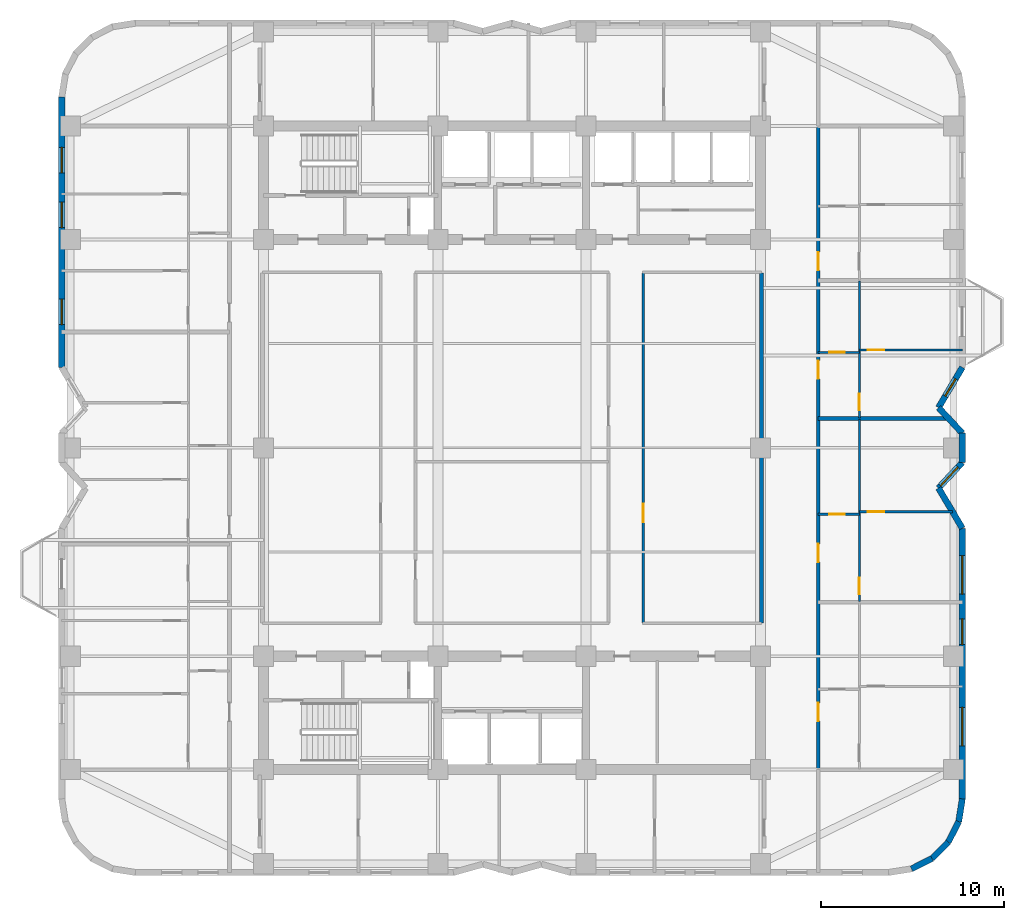
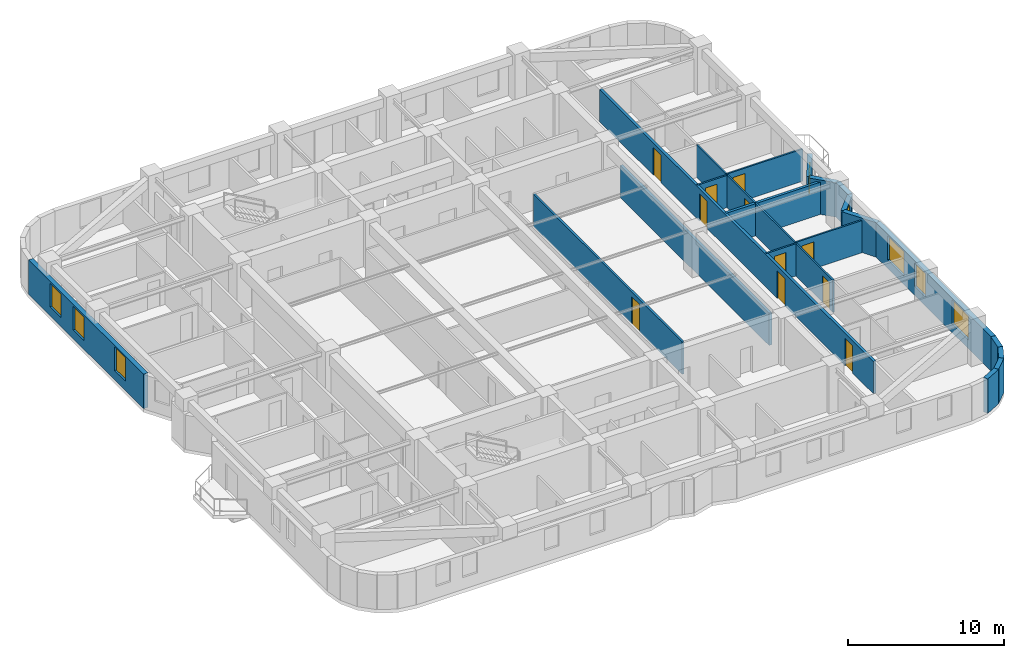
# One storey, part 5 of 10: 21 walls, 11 doors, 8 windows, 19 openings.
"""IFC4 building model written with IfcOpenShell, lengths in metres."""

from ifc_helpers import new_model, si_unit, direction, frame, frame_2d, origin, place, context, subcontext, project, spatial, rectangle, extrude, material, layer, layer_set, type_object, element, fill, save


model = new_model("IFC4")

# Units and contexts
model_context = context("Model", 3, precision=1e-05, world=origin(), true_north=direction((0.0, 1.0)))
body_context = subcontext(model_context, "Body", "Model", "MODEL_VIEW")
ifc_project = project(units=[si_unit("LENGTHUNIT", "METRE"), si_unit("AREAUNIT", "SQUARE_METRE"), si_unit("VOLUMEUNIT", "CUBIC_METRE"), si_unit("PLANEANGLEUNIT", "RADIAN"), si_unit("MASSUNIT", "GRAM", prefix="KILO")], contexts=[model_context])

# Site, building, storey
site_placement = place(None, origin())
site = spatial("IfcSite", under=ifc_project, at=site_placement, CompositionType="ELEMENT")
building_placement = place(site_placement, origin())
building = spatial("IfcBuilding", under=site, at=building_placement, Name="Svetorya Sky Lyceum", CompositionType="ELEMENT")
storey_placement = place(building_placement, frame((0.0, 0.0, 114.199951171875)))
storey = spatial("IfcBuildingStorey", under=building, at=storey_placement, Name="L28", CompositionType="ELEMENT", Elevation=114.199951171875)

# Walls
ifc_material_1 = material(Name="Putilovo limestone rainscreen on autoclaved cellular masonry", Category="masonry")
ifc_layer_1 = layer(ifc_material_1, 0.340087890625)
ifc_layer_set_1 = layer_set([ifc_layer_1], Name="Putilovo limestone rainscreen on autoclaved cellular masonry")
wall_type_1 = type_object("IfcWallType", Name="WL-EXT-340", PredefinedType="SOLIDWALL", material=ifc_layer_set_1)
for number, where, z_axis, x_axis, name in (
    (1, (61.04541015625, 5.167236328125, 0.0), (0.0, 0.0, 1.0), (0.890953769915, 0.454094020963, 0.0), "L28 Limestone Exterior Wall 13M"),
    (2, (62.168701171875, 5.73974609375, 0.0), (0.0, 0.0, 1.0), (0.707203598708, 0.707009950407, 0.0), "L28 Limestone Exterior Wall 14M"),
):
    element("IfcWall", number, at=place(storey_placement, frame(where, z_axis=z_axis, x_axis=x_axis)), inside=storey, type_object=wall_type_1, Name=name, PredefinedType="SOLIDWALL", context=body_context, shape_type="SweptSolid", body=[
        extrude(rectangle(XDim=1.2607421875, YDim=0.340087890625, at=frame_2d((0.63037109375, 0.0))), origin(), (0.0, 0.0, 1.0), 2.699951171875),
    ])
for number, where, z_axis, x_axis, name in (
    (3, (63.060302734375, 6.631103515625, 0.0), (0.0, 0.0, 1.0), (0.454015689056, 0.890993689142, 0.0), "L28 Limestone Exterior Wall 15M"),
    (4, (63.6328125, 7.754638671875, 0.0), (0.0, 0.0, 1.0), (0.15644975923, 0.987685918112, 0.0), "L28 Limestone Exterior Wall 16M"),
):
    element("IfcWall", number, at=place(storey_placement, frame(where, z_axis=z_axis, x_axis=x_axis)), inside=storey, type_object=wall_type_1, Name=name, PredefinedType="SOLIDWALL", context=body_context, shape_type="SweptSolid", body=[
        extrude(rectangle(XDim=1.260986328125, YDim=0.340087890625, at=frame_2d((0.63037109375, 0.0))), origin(), (0.0, 0.0, 1.0), 2.699951171875),
    ])

# Wall, openings, windows
wall_1_placement = place(storey_placement, frame((63.830078125, 9.0, 0.0), z_axis=(0.0, 0.0, 1.0), x_axis=(0.0, 1.0, 0.0)))
wall_1 = element("IfcWall", 5, at=wall_1_placement, inside=storey, type_object=wall_type_1, Name="L28 Limestone Exterior Wall 17M", PredefinedType="SOLIDWALL", context=body_context, shape_type="SweptSolid", body=[
    extrude(rectangle(XDim=14.800048828125, YDim=0.340087890625, at=frame_2d((7.39990234375, 0.0))), origin(), (0.0, 0.0, 1.0), 2.699951171875),
])
opening_1_placement = place(wall_1_placement, frame((2.89990234375, 0.0, 0.679931640625)))
opening_1 = element("IfcOpeningElement", 6, at=opening_1_placement, cuts=wall_1, Name="Opening W-R0", PredefinedType="OPENING", context=body_context, shape_type="SweptSolid", body=[
    extrude(rectangle(XDim=2.10009765625, YDim=1.89990234375, at=frame_2d((1.050048828125, 0.949951171875))), frame((0.0, 0.179931640625, 0.0), z_axis=(0.0, -1.0, 0.0), x_axis=(1.0, 0.0, 0.0)), (0.0, 0.0, 1.0), 0.360107421875),
])
opening_2_placement = place(wall_1_placement, frame((8.43994140625, 0.0, 0.68994140625)))
opening_2 = element("IfcOpeningElement", 7, at=opening_2_placement, cuts=wall_1, Name="Opening W-R2", PredefinedType="OPENING", context=body_context, shape_type="SweptSolid", body=[
    extrude(rectangle(XDim=1.39990234375, YDim=1.85009765625, at=frame_2d((0.699951171875, 0.925048828125))), frame((0.0, 0.179931640625, 0.0), z_axis=(0.0, -1.0, 0.0), x_axis=(1.0, 0.0, 0.0)), (0.0, 0.0, 1.0), 0.360107421875),
])
opening_3_placement = place(wall_1_placement, frame((11.199951171875, 0.0, 0.679931640625)))
opening_3 = element("IfcOpeningElement", 8, at=opening_3_placement, cuts=wall_1, Name="Opening W-R0", PredefinedType="OPENING", context=body_context, shape_type="SweptSolid", body=[
    extrude(rectangle(XDim=2.10009765625, YDim=1.89990234375, at=frame_2d((1.050048828125, 0.949951171875))), frame((0.0, 0.179931640625, 0.0), z_axis=(0.0, -1.0, 0.0), x_axis=(1.0, 0.0, 0.0)), (0.0, 0.0, 1.0), 0.360107421875),
])
ifc_material_2 = material(Name="Thermally broken aluminium frame with triple low-E glazing", Category="aluminium")
window_type_1 = type_object("IfcWindowType", Name="WN-RES-140", PartitioningType="SINGLE_PANEL", PredefinedType="WINDOW", material=ifc_material_2)
window_1_placement = place(opening_2_placement, origin())
window_1 = element("IfcWindow", 9, at=window_1_placement, inside=storey, type_object=window_type_1, Name="L28 Facade Window W-R2.17M.3", OverallHeight=1.85009765625, OverallWidth=1.39990234375, PartitioningType="SINGLE_PANEL", PredefinedType="WINDOW", context=body_context, shape_type="SweptSolid", body=[
    extrude(rectangle(XDim=1.39990234375, YDim=1.85009765625, at=frame_2d((0.699951171875, 0.925048828125))), frame((0.0, 0.030029296875, 0.0), z_axis=(0.0, -1.0, 0.0), x_axis=(1.0, 0.0, 0.0)), (0.0, 0.0, 1.0), 0.06005859375),
])
fill(opening_2, window_1)
window_type_2 = type_object("IfcWindowType", Name="WN-RES-210", PartitioningType="TRIPLE_PANEL_VERTICAL", PredefinedType="WINDOW", material=ifc_material_2)
window_2_placement = place(opening_1_placement, origin())
window_2 = element("IfcWindow", 10, at=window_2_placement, inside=storey, type_object=window_type_2, Name="L28 Facade Window W-R0.17M.1", OverallHeight=1.89990234375, OverallWidth=2.10009765625, PartitioningType="SINGLE_PANEL", PredefinedType="WINDOW", context=body_context, shape_type="SweptSolid", body=[
    extrude(rectangle(XDim=2.10009765625, YDim=1.89990234375, at=frame_2d((1.050048828125, 0.949951171875))), frame((0.0, 0.030029296875, 0.0), z_axis=(0.0, -1.0, 0.0), x_axis=(1.0, 0.0, 0.0)), (0.0, 0.0, 1.0), 0.06005859375),
])
fill(opening_1, window_2)
window_3_placement = place(opening_3_placement, origin())
window_3 = element("IfcWindow", 11, at=window_3_placement, inside=storey, type_object=window_type_2, Name="L28 Facade Window W-R0.17M.2", OverallHeight=1.89990234375, OverallWidth=2.10009765625, PartitioningType="SINGLE_PANEL", PredefinedType="WINDOW", context=body_context, shape_type="SweptSolid", body=[
    extrude(rectangle(XDim=2.10009765625, YDim=1.89990234375, at=frame_2d((1.050048828125, 0.949951171875))), frame((0.0, 0.030029296875, 0.0), z_axis=(0.0, -1.0, 0.0), x_axis=(1.0, 0.0, 0.0)), (0.0, 0.0, 1.0), 0.06005859375),
])
fill(opening_3, window_3)

# Wall
wall_2_placement = place(storey_placement, frame((63.830078125, 23.800048828125, 0.0), z_axis=(0.0, 0.0, 1.0), x_axis=(-0.508751843651, 0.860913213734, 0.0)))
element("IfcWall", 12, at=wall_2_placement, inside=storey, type_object=wall_type_1, Name="L28 Limestone Exterior Wall 18M", PredefinedType="SOLIDWALL", context=body_context, shape_type="SweptSolid", body=[
    extrude(rectangle(XDim=2.555419921875, YDim=0.340087890625, at=frame_2d((1.27783203125, 0.0))), origin(), (0.0, 0.0, 1.0), 2.699951171875),
])

# Wall, opening, window
wall_3_placement = place(storey_placement, frame((62.530029296875, 26.0, 0.0), z_axis=(0.0, 0.0, 1.0), x_axis=(0.68049031116, 0.732757078722, 0.0)))
wall_3 = element("IfcWall", 13, at=wall_3_placement, inside=storey, type_object=wall_type_1, Name="L28 Limestone Exterior Wall 19M", PredefinedType="SOLIDWALL", context=body_context, shape_type="SweptSolid", body=[
    extrude(rectangle(XDim=1.910400390625, YDim=0.340087890625, at=frame_2d((0.955078125, 0.0))), origin(), (0.0, 0.0, 1.0), 2.699951171875),
])
opening_4_placement = place(wall_3_placement, frame((0.159912109375, 0.0, 0.68994140625)))
opening_4 = element("IfcOpeningElement", 14, at=opening_4_placement, cuts=wall_3, Name="Opening W-R2", PredefinedType="OPENING", context=body_context, shape_type="SweptSolid", body=[
    extrude(rectangle(XDim=1.39990234375, YDim=1.85009765625, at=frame_2d((0.699951171875, 0.925048828125))), frame((0.0, 0.179931640625, 0.0), z_axis=(0.0, -1.0, 0.0), x_axis=(1.0, 0.0, 0.0)), (0.0, 0.0, 1.0), 0.360107421875),
])
window_4_placement = place(opening_4_placement, origin())
window_4 = element("IfcWindow", 15, at=window_4_placement, inside=storey, type_object=window_type_1, Name="L28 Facade Window W-R2.19M.1", OverallHeight=1.85009765625, OverallWidth=1.39990234375, PartitioningType="SINGLE_PANEL", PredefinedType="WINDOW", context=body_context, shape_type="SweptSolid", body=[
    extrude(rectangle(XDim=1.39990234375, YDim=1.85009765625, at=frame_2d((0.699951171875, 0.925048828125))), frame((0.0, 0.030029296875, 0.0), z_axis=(0.0, -1.0, 0.0), x_axis=(1.0, 0.0, 0.0)), (0.0, 0.0, 1.0), 0.06005859375),
])
fill(opening_4, window_4)

# Walls
wall_4_placement = place(storey_placement, frame((63.830078125, 27.39990234375, 0.0), z_axis=(0.0, 0.0, 1.0), x_axis=(0.0, 1.0, 0.0)))
element("IfcWall", 16, at=wall_4_placement, inside=storey, type_object=wall_type_1, Name="L28 Limestone Exterior Wall 20M", PredefinedType="SOLIDWALL", context=body_context, shape_type="SweptSolid", body=[
    extrude(rectangle(XDim=1.60009765625, YDim=0.340087890625, at=frame_2d((0.800048828125, 0.0))), origin(), (0.0, 0.0, 1.0), 2.699951171875),
])
wall_5_placement = place(storey_placement, frame((63.830078125, 29.0, 0.0), z_axis=(0.0, 0.0, 1.0), x_axis=(-0.68049031116, 0.732757078722, 0.0)))
element("IfcWall", 17, at=wall_5_placement, inside=storey, type_object=wall_type_1, Name="L28 Limestone Exterior Wall 21M", PredefinedType="SOLIDWALL", context=body_context, shape_type="SweptSolid", body=[
    extrude(rectangle(XDim=1.910400390625, YDim=0.340087890625, at=frame_2d((0.955078125, 0.0))), origin(), (0.0, 0.0, 1.0), 2.699951171875),
])

# Wall, opening, window
wall_6_placement = place(storey_placement, frame((62.530029296875, 30.39990234375, 0.0), z_axis=(0.0, 0.0, 1.0), x_axis=(0.508710000703, 0.860937939218, 0.0)))
wall_6 = element("IfcWall", 18, at=wall_6_placement, inside=storey, type_object=wall_type_1, Name="L28 Limestone Exterior Wall 22M", PredefinedType="SOLIDWALL", context=body_context, shape_type="SweptSolid", body=[
    extrude(rectangle(XDim=2.5556640625, YDim=0.340087890625, at=frame_2d((1.27783203125, 0.0))), origin(), (0.0, 0.0, 1.0), 2.699951171875),
])
opening_5_placement = place(wall_6_placement, frame((0.727783203125, 0.0, 0.889892578125)))
opening_5 = element("IfcOpeningElement", 19, at=opening_5_placement, cuts=wall_6, Name="Opening W-R3", PredefinedType="OPENING", context=body_context, shape_type="SweptSolid", body=[
    extrude(rectangle(XDim=1.10009765625, YDim=1.64990234375, at=frame_2d((0.550048828125, 0.824951171875))), frame((0.0, 0.179931640625, 0.0), z_axis=(0.0, -1.0, 0.0), x_axis=(1.0, 0.0, 0.0)), (0.0, 0.0, 1.0), 0.360107421875),
])
window_type_3 = type_object("IfcWindowType", Name="WN-RES-110", PartitioningType="SINGLE_PANEL", PredefinedType="WINDOW", material=ifc_material_2)
window_5_placement = place(opening_5_placement, origin())
window_5 = element("IfcWindow", 20, at=window_5_placement, inside=storey, type_object=window_type_3, Name="L28 Facade Window W-R3.22M.1", OverallHeight=1.64990234375, OverallWidth=1.10009765625, PartitioningType="SINGLE_PANEL", PredefinedType="WINDOW", context=body_context, shape_type="SweptSolid", body=[
    extrude(rectangle(XDim=1.10009765625, YDim=1.64990234375, at=frame_2d((0.550048828125, 0.824951171875))), frame((0.0, 0.030029296875, 0.0), z_axis=(0.0, -1.0, 0.0), x_axis=(1.0, 0.0, 0.0)), (0.0, 0.0, 1.0), 0.06005859375),
])
fill(opening_5, window_5)

# Wall, openings, windows
wall_7_placement = place(storey_placement, frame((14.570068359375, 47.39990234375, 0.0), z_axis=(0.0, 0.0, 1.0), x_axis=(0.0, -1.0, 0.0)))
wall_7 = element("IfcWall", 21, at=wall_7_placement, inside=storey, type_object=wall_type_1, Name="L28 Limestone Exterior Wall 40M", PredefinedType="SOLIDWALL", context=body_context, shape_type="SweptSolid", body=[
    extrude(rectangle(XDim=14.7998046875, YDim=0.340087890625, at=frame_2d((7.39990234375, 0.0))), origin(), (0.0, 0.0, 1.0), 2.699951171875),
])
opening_6_placement = place(wall_7_placement, frame((2.760009765625, 0.0, 0.68994140625)))
opening_6 = element("IfcOpeningElement", 22, at=opening_6_placement, cuts=wall_7, Name="Opening W-R2", PredefinedType="OPENING", context=body_context, shape_type="SweptSolid", body=[
    extrude(rectangle(XDim=1.39990234375, YDim=1.85009765625, at=frame_2d((0.699951171875, 0.925048828125))), frame((0.0, 0.179931640625, 0.0), z_axis=(0.0, -1.0, 0.0), x_axis=(1.0, 0.0, 0.0)), (0.0, 0.0, 1.0), 0.360107421875),
])
opening_7_placement = place(wall_7_placement, frame((5.760009765625, 0.0, 0.68994140625)))
opening_7 = element("IfcOpeningElement", 23, at=opening_7_placement, cuts=wall_7, Name="Opening W-R2", PredefinedType="OPENING", context=body_context, shape_type="SweptSolid", body=[
    extrude(rectangle(XDim=1.39990234375, YDim=1.85009765625, at=frame_2d((0.699951171875, 0.925048828125))), frame((0.0, 0.179931640625, 0.0), z_axis=(0.0, -1.0, 0.0), x_axis=(1.0, 0.0, 0.0)), (0.0, 0.0, 1.0), 0.360107421875),
])
opening_8_placement = place(wall_7_placement, frame((11.0625, 0.0, 0.72998046875)))
opening_8 = element("IfcOpeningElement", 24, at=opening_8_placement, cuts=wall_7, Name="Opening W-R2", PredefinedType="OPENING", context=body_context, shape_type="SweptSolid", body=[
    extrude(rectangle(XDim=1.39990234375, YDim=1.85009765625, at=frame_2d((0.699951171875, 0.925048828125))), frame((0.0, 0.179931640625, 0.0), z_axis=(0.0, -1.0, 0.0), x_axis=(1.0, 0.0, 0.0)), (0.0, 0.0, 1.0), 0.360107421875),
])
window_6_placement = place(opening_6_placement, origin())
window_6 = element("IfcWindow", 25, at=window_6_placement, inside=storey, type_object=window_type_1, Name="L28 Facade Window W-R2.40M.3", OverallHeight=1.85009765625, OverallWidth=1.39990234375, PartitioningType="SINGLE_PANEL", PredefinedType="WINDOW", context=body_context, shape_type="SweptSolid", body=[
    extrude(rectangle(XDim=1.39990234375, YDim=1.85009765625, at=frame_2d((0.699951171875, 0.925048828125))), frame((0.0, 0.030029296875, 0.0), z_axis=(0.0, -1.0, 0.0), x_axis=(1.0, 0.0, 0.0)), (0.0, 0.0, 1.0), 0.06005859375),
])
fill(opening_6, window_6)
window_7_placement = place(opening_7_placement, origin())
window_7 = element("IfcWindow", 26, at=window_7_placement, inside=storey, type_object=window_type_1, Name="L28 Facade Window W-R2.40M.2", OverallHeight=1.85009765625, OverallWidth=1.39990234375, PartitioningType="SINGLE_PANEL", PredefinedType="WINDOW", context=body_context, shape_type="SweptSolid", body=[
    extrude(rectangle(XDim=1.39990234375, YDim=1.85009765625, at=frame_2d((0.699951171875, 0.925048828125))), frame((0.0, 0.030029296875, 0.0), z_axis=(0.0, -1.0, 0.0), x_axis=(1.0, 0.0, 0.0)), (0.0, 0.0, 1.0), 0.06005859375),
])
fill(opening_7, window_7)
window_8_placement = place(opening_8_placement, origin())
window_8 = element("IfcWindow", 27, at=window_8_placement, inside=storey, type_object=window_type_1, Name="L28 Facade Window W-R2.40M.1", OverallHeight=1.85009765625, OverallWidth=1.39990234375, PartitioningType="SINGLE_PANEL", PredefinedType="WINDOW", context=body_context, shape_type="SweptSolid", body=[
    extrude(rectangle(XDim=1.39990234375, YDim=1.85009765625, at=frame_2d((0.699951171875, 0.925048828125))), frame((0.0, 0.030029296875, 0.0), z_axis=(0.0, -1.0, 0.0), x_axis=(1.0, 0.0, 0.0)), (0.0, 0.0, 1.0), 0.06005859375),
])
fill(opening_8, window_8)

# Wall, opening, door
ifc_material_3 = material(Name="Twin-stud galvanized framing with double fireboard", Category="gypsum")
ifc_layer_2 = layer(ifc_material_3, 0.1201171875)
ifc_layer_set_2 = layer_set([ifc_layer_2], Name="Twin-stud galvanized framing with double fireboard")
wall_type_2 = type_object("IfcWallType", Name="WL-PART-120", PredefinedType="PARTITIONING", material=ifc_layer_set_2)
wall_8_placement = place(storey_placement, frame((55.949951171875, 24.572021484375, 0.0), z_axis=(0.0, 0.0, 1.0), x_axis=(1.0, 0.0, 0.0)))
wall_8 = element("IfcWall", 28, at=wall_8_placement, inside=storey, type_object=wall_type_2, Name="L28 Interior Partition E2-WH1", PredefinedType="PARTITIONING", context=body_context, shape_type="SweptSolid", body=[
    extrude(rectangle(XDim=2.25, YDim=0.1201171875, at=frame_2d((1.125, 0.0))), origin(), (0.0, 0.0, 1.0), 2.530029296875),
])
opening_9_placement = place(wall_8_placement, frame((0.60009765625, 0.0, 0.0)))
opening_9 = element("IfcOpeningElement", 29, at=opening_9_placement, cuts=wall_8, Name="Opening D-BT1", PredefinedType="OPENING", context=body_context, shape_type="SweptSolid", body=[
    extrude(rectangle(XDim=0.85009765625, YDim=2.10009765625, at=frame_2d((0.425048828125, 1.050048828125))), frame((0.0, 0.070068359375, 0.0), z_axis=(0.0, -1.0, 0.0), x_axis=(1.0, 0.0, 0.0)), (0.0, 0.0, 1.0), 0.14013671875),
])
ifc_material_4 = material(Name="Moisture-resistant laminate bathroom door")
door_type_1 = type_object("IfcDoorType", Name="DR-WET-850", OperationType="SINGLE_SWING_LEFT", PredefinedType="DOOR", material=ifc_material_4)
door_1_placement = place(opening_9_placement, origin())
door_1 = element("IfcDoor", 30, at=door_1_placement, inside=storey, type_object=door_type_1, Name="Apartment E2 Bathroom Door", OperationType="SINGLE_SWING_LEFT", OverallHeight=2.10009765625, OverallWidth=0.85009765625, PredefinedType="DOOR", context=body_context, shape_type="SweptSolid", body=[
    extrude(rectangle(XDim=0.85009765625, YDim=2.10009765625, at=frame_2d((0.425048828125, 1.050048828125))), frame((0.0, 0.02490234375, 0.0), z_axis=(0.0, -1.0, 0.0), x_axis=(1.0, 0.0, 0.0)), (0.0, 0.0, 1.0), 0.050048828125),
])
fill(opening_9, door_1)

wall_9_placement = place(storey_placement, frame((58.199951171875, 24.701904296875, 0.0), z_axis=(0.0, 0.0, 1.0), x_axis=(1.0, 0.0, 0.0)))
wall_9 = element("IfcWall", 31, at=wall_9_placement, inside=storey, type_object=wall_type_2, Name="L28 Interior Partition E2-WL1", PredefinedType="PARTITIONING", context=body_context, shape_type="SweptSolid", body=[
    extrude(rectangle(XDim=5.09716796875, YDim=0.1201171875, at=frame_2d((2.548583984375, 0.0))), origin(), (0.0, 0.0, 1.0), 2.530029296875),
])
opening_10_placement = place(wall_9_placement, frame((0.449951171875, 0.0, 0.0)))
opening_10 = element("IfcOpeningElement", 32, at=opening_10_placement, cuts=wall_9, Name="Opening D-RM1", PredefinedType="OPENING", context=body_context, shape_type="SweptSolid", body=[
    extrude(rectangle(XDim=0.89990234375, YDim=2.10009765625, at=frame_2d((0.449951171875, 1.050048828125))), frame((0.0, 0.070068359375, 0.0), z_axis=(0.0, -1.0, 0.0), x_axis=(1.0, 0.0, 0.0)), (0.0, 0.0, 1.0), 0.14013671875),
])
ifc_material_5 = material(Name="Lacquered birch veneer internal door")
door_type_2 = type_object("IfcDoorType", Name="DR-INT-900", OperationType="SINGLE_SWING_LEFT", PredefinedType="DOOR", material=ifc_material_5)
door_2_placement = place(opening_10_placement, origin())
door_2 = element("IfcDoor", 33, at=door_2_placement, inside=storey, type_object=door_type_2, Name="Apartment E2 Bedroom 1 Door", OperationType="SINGLE_SWING_LEFT", OverallHeight=2.10009765625, OverallWidth=0.89990234375, PredefinedType="DOOR", context=body_context, shape_type="SweptSolid", body=[
    extrude(rectangle(XDim=0.89990234375, YDim=2.10009765625, at=frame_2d((0.449951171875, 1.050048828125))), frame((0.0, 0.02490234375, 0.0), z_axis=(0.0, -1.0, 0.0), x_axis=(1.0, 0.0, 0.0)), (0.0, 0.0, 1.0), 0.050048828125),
])
fill(opening_10, door_2)

wall_10_placement = place(storey_placement, frame((58.199951171875, 19.7919921875, 0.0), z_axis=(0.0, 0.0, 1.0), x_axis=(0.0, 1.0, 0.0)))
wall_10 = element("IfcWall", 34, at=wall_10_placement, inside=storey, type_object=wall_type_2, Name="L28 Interior Partition E2-WV", PredefinedType="PARTITIONING", context=body_context, shape_type="SweptSolid", body=[
    extrude(rectangle(XDim=9.968017578125, YDim=0.1201171875, at=frame_2d((4.98388671875, 0.0))), origin(), (0.0, 0.0, 1.0), 2.530029296875),
])
opening_11_placement = place(wall_10_placement, frame((0.409912109375, 0.0, 0.0)))
opening_11 = element("IfcOpeningElement", 35, at=opening_11_placement, cuts=wall_10, Name="Opening D-RM1", PredefinedType="OPENING", context=body_context, shape_type="SweptSolid", body=[
    extrude(rectangle(XDim=0.89990234375, YDim=2.10009765625, at=frame_2d((0.449951171875, 1.050048828125))), frame((0.0, 0.070068359375, 0.0), z_axis=(0.0, -1.0, 0.0), x_axis=(1.0, 0.0, 0.0)), (0.0, 0.0, 1.0), 0.14013671875),
])
door_3_placement = place(opening_11_placement, origin())
door_3 = element("IfcDoor", 36, at=door_3_placement, inside=storey, type_object=door_type_2, Name="Apartment E2 Living Door", OperationType="SINGLE_SWING_RIGHT", OverallHeight=2.10009765625, OverallWidth=0.89990234375, PredefinedType="DOOR", context=body_context, shape_type="SweptSolid", body=[
    extrude(rectangle(XDim=0.89990234375, YDim=2.10009765625, at=frame_2d((0.449951171875, 1.050048828125))), frame((0.0, 0.02490234375, 0.0), z_axis=(0.0, -1.0, 0.0), x_axis=(1.0, 0.0, 0.0)), (0.0, 0.0, 1.0), 0.050048828125),
])
fill(opening_11, door_3)

wall_11_placement = place(storey_placement, frame((55.949951171875, 33.419921875, 0.0), z_axis=(0.0, 0.0, 1.0), x_axis=(1.0, 0.0, 0.0)))
wall_11 = element("IfcWall", 37, at=wall_11_placement, inside=storey, type_object=wall_type_2, Name="L28 Interior Partition E3-WH1", PredefinedType="PARTITIONING", context=body_context, shape_type="SweptSolid", body=[
    extrude(rectangle(XDim=2.25, YDim=0.1201171875, at=frame_2d((1.125, 0.0))), origin(), (0.0, 0.0, 1.0), 2.530029296875),
])
opening_12_placement = place(wall_11_placement, frame((0.60009765625, 0.0, 0.0)))
opening_12 = element("IfcOpeningElement", 38, at=opening_12_placement, cuts=wall_11, Name="Opening D-BT1", PredefinedType="OPENING", context=body_context, shape_type="SweptSolid", body=[
    extrude(rectangle(XDim=0.85009765625, YDim=2.10009765625, at=frame_2d((0.425048828125, 1.050048828125))), frame((0.0, 0.070068359375, 0.0), z_axis=(0.0, -1.0, 0.0), x_axis=(1.0, 0.0, 0.0)), (0.0, 0.0, 1.0), 0.14013671875),
])
door_4_placement = place(opening_12_placement, origin())
door_4 = element("IfcDoor", 39, at=door_4_placement, inside=storey, type_object=door_type_1, Name="Apartment E3 Bathroom Door", OperationType="SINGLE_SWING_RIGHT", OverallHeight=2.10009765625, OverallWidth=0.85009765625, PredefinedType="DOOR", context=body_context, shape_type="SweptSolid", body=[
    extrude(rectangle(XDim=0.85009765625, YDim=2.10009765625, at=frame_2d((0.425048828125, 1.050048828125))), frame((0.0, 0.02490234375, 0.0), z_axis=(0.0, -1.0, 0.0), x_axis=(1.0, 0.0, 0.0)), (0.0, 0.0, 1.0), 0.050048828125),
])
fill(opening_12, door_4)

wall_12_placement = place(storey_placement, frame((58.199951171875, 33.550048828125, 0.0), z_axis=(0.0, 0.0, 1.0), x_axis=(1.0, 0.0, 0.0)))
wall_12 = element("IfcWall", 40, at=wall_12_placement, inside=storey, type_object=wall_type_2, Name="L28 Interior Partition E3-WL1", PredefinedType="PARTITIONING", context=body_context, shape_type="SweptSolid", body=[
    extrude(rectangle(XDim=5.630126953125, YDim=0.1201171875, at=frame_2d((2.81494140625, 0.0))), origin(), (0.0, 0.0, 1.0), 2.530029296875),
])
opening_13_placement = place(wall_12_placement, frame((0.449951171875, 0.0, 0.0)))
opening_13 = element("IfcOpeningElement", 41, at=opening_13_placement, cuts=wall_12, Name="Opening D-RM1", PredefinedType="OPENING", context=body_context, shape_type="SweptSolid", body=[
    extrude(rectangle(XDim=0.89990234375, YDim=2.10009765625, at=frame_2d((0.449951171875, 1.050048828125))), frame((0.0, 0.070068359375, 0.0), z_axis=(0.0, -1.0, 0.0), x_axis=(1.0, 0.0, 0.0)), (0.0, 0.0, 1.0), 0.14013671875),
])
door_5_placement = place(opening_13_placement, origin())
door_5 = element("IfcDoor", 42, at=door_5_placement, inside=storey, type_object=door_type_2, Name="Apartment E3 Bedroom 1 Door", OperationType="SINGLE_SWING_RIGHT", OverallHeight=2.10009765625, OverallWidth=0.89990234375, PredefinedType="DOOR", context=body_context, shape_type="SweptSolid", body=[
    extrude(rectangle(XDim=0.89990234375, YDim=2.10009765625, at=frame_2d((0.449951171875, 1.050048828125))), frame((0.0, 0.02490234375, 0.0), z_axis=(0.0, -1.0, 0.0), x_axis=(1.0, 0.0, 0.0)), (0.0, 0.0, 1.0), 0.050048828125),
])
fill(opening_13, door_5)

wall_13_placement = place(storey_placement, frame((58.199951171875, 29.840087890625, 0.0), z_axis=(0.0, 0.0, 1.0), x_axis=(0.0, 1.0, 0.0)))
wall_13 = element("IfcWall", 43, at=wall_13_placement, inside=storey, type_object=wall_type_2, Name="L28 Interior Partition E3-WV", PredefinedType="PARTITIONING", context=body_context, shape_type="SweptSolid", body=[
    extrude(rectangle(XDim=7.471923828125, YDim=0.1201171875, at=frame_2d((3.73583984375, 0.0))), origin(), (0.0, 0.0, 1.0), 2.530029296875),
])
opening_14_placement = place(wall_13_placement, frame((0.409912109375, 0.0, 0.0)))
opening_14 = element("IfcOpeningElement", 44, at=opening_14_placement, cuts=wall_13, Name="Opening D-RM1", PredefinedType="OPENING", context=body_context, shape_type="SweptSolid", body=[
    extrude(rectangle(XDim=0.89990234375, YDim=2.10009765625, at=frame_2d((0.449951171875, 1.050048828125))), frame((0.0, 0.070068359375, 0.0), z_axis=(0.0, -1.0, 0.0), x_axis=(1.0, 0.0, 0.0)), (0.0, 0.0, 1.0), 0.14013671875),
])
door_6_placement = place(opening_14_placement, origin())
door_6 = element("IfcDoor", 45, at=door_6_placement, inside=storey, type_object=door_type_2, Name="Apartment E3 Living Door", OperationType="SINGLE_SWING_LEFT", OverallHeight=2.10009765625, OverallWidth=0.89990234375, PredefinedType="DOOR", context=body_context, shape_type="SweptSolid", body=[
    extrude(rectangle(XDim=0.89990234375, YDim=2.10009765625, at=frame_2d((0.449951171875, 1.050048828125))), frame((0.0, 0.02490234375, 0.0), z_axis=(0.0, -1.0, 0.0), x_axis=(1.0, 0.0, 0.0)), (0.0, 0.0, 1.0), 0.050048828125),
])
fill(opening_14, door_6)

ifc_material_6 = material(Name="Autoclaved cellular masonry blockwork with acoustic render", Category="masonry")
ifc_layer_3 = layer(ifc_material_6, 0.14990234375)
ifc_layer_set_3 = layer_set([ifc_layer_3], Name="Autoclaved cellular masonry blockwork with acoustic render")
wall_type_3 = type_object("IfcWallType", Name="WL-PART-150", PredefinedType="PARTITIONING", material=ifc_layer_set_3)
wall_14_placement = place(storey_placement, frame((46.3798828125, 18.6298828125, 0.0), z_axis=(0.0, 0.0, 1.0), x_axis=(0.0, 1.0, 0.0)))
wall_14 = element("IfcWall", 46, at=wall_14_placement, inside=storey, type_object=wall_type_3, Name="L28 Interior Partition ISL-EE", PredefinedType="PARTITIONING", context=body_context, shape_type="SweptSolid", body=[
    extrude(rectangle(XDim=19.14013671875, YDim=0.14990234375, at=frame_2d((9.570068359375, 0.0))), origin(), (0.0, 0.0, 1.0), 2.530029296875),
])
opening_15_placement = place(wall_14_placement, frame((5.5, 0.0, 0.0)))
opening_15 = element("IfcOpeningElement", 47, at=opening_15_placement, cuts=wall_14, Name="Opening D-RM2", PredefinedType="OPENING", context=body_context, shape_type="SweptSolid", body=[
    extrude(rectangle(XDim=1.0, YDim=2.14990234375, at=frame_2d((0.5, 1.074951171875))), frame((0.0, 0.0849609375, 0.0), z_axis=(0.0, -1.0, 0.0), x_axis=(1.0, 0.0, 0.0)), (0.0, 0.0, 1.0), 0.169921875),
])
ifc_material_7 = material(Name="Solid-core oak acoustic room door")
door_type_3 = type_object("IfcDoorType", Name="DR-INT-1000", OperationType="SINGLE_SWING_LEFT", PredefinedType="DOOR", material=ifc_material_7)
door_7_placement = place(opening_15_placement, origin())
door_7 = element("IfcDoor", 48, at=door_7_placement, inside=storey, type_object=door_type_3, Name="L28 East Lounge Door", OperationType="SINGLE_SWING_RIGHT", OverallHeight=2.14990234375, OverallWidth=1.0, PredefinedType="DOOR", context=body_context, shape_type="SweptSolid", body=[
    extrude(rectangle(XDim=1.0, YDim=2.14990234375, at=frame_2d((0.5, 1.074951171875))), frame((0.0, 0.02490234375, 0.0), z_axis=(0.0, -1.0, 0.0), x_axis=(1.0, 0.0, 0.0)), (0.0, 0.0, 1.0), 0.050048828125),
])
fill(opening_15, door_7)

# Walls
ifc_material_8 = material(Name="Autoclaved cellular masonry blockwork with gypsum plaster", Category="masonry")
ifc_layer_4 = layer(ifc_material_8, 0.199951171875)
ifc_layer_set_4 = layer_set([ifc_layer_4], Name="Autoclaved cellular masonry blockwork with gypsum plaster")
wall_type_4 = type_object("IfcWallType", Name="WL-PART-200", PredefinedType="PARTITIONING", material=ifc_layer_set_4)
wall_15_placement = place(storey_placement, frame((52.85009765625, 18.6298828125, 0.0), z_axis=(0.0, 0.0, 1.0), x_axis=(0.0, 1.0, 0.0)))
element("IfcWall", 49, at=wall_15_placement, inside=storey, type_object=wall_type_4, Name="L28 Interior Partition E-CEN-SEP", PredefinedType="PARTITIONING", context=body_context, shape_type="SweptSolid", body=[
    extrude(rectangle(XDim=19.14013671875, YDim=0.199951171875, at=frame_2d((9.570068359375, 0.0))), origin(), (0.0, 0.0, 1.0), 2.530029296875),
])
wall_16_placement = place(storey_placement, frame((55.949951171875, 29.800048828125, 0.0), z_axis=(0.0, 0.0, 1.0), x_axis=(1.0, 0.0, 0.0)))
element("IfcWall", 50, at=wall_16_placement, inside=storey, type_object=wall_type_4, Name="L28 Interior Partition E-PARTY-2", PredefinedType="PARTITIONING", context=body_context, shape_type="SweptSolid", body=[
    extrude(rectangle(XDim=7.13720703125, YDim=0.199951171875, at=frame_2d((3.568603515625, 0.0))), origin(), (0.0, 0.0, 1.0), 2.530029296875),
])

# Wall, openings, doors
wall_17_placement = place(storey_placement, frame((55.949951171875, 10.60009765625, 0.0), z_axis=(0.0, 0.0, 1.0), x_axis=(0.0, 1.0, 0.0)))
wall_17 = element("IfcWall", 51, at=wall_17_placement, inside=storey, type_object=wall_type_4, Name="L28 Interior Partition E-CORRW", PredefinedType="PARTITIONING", context=body_context, shape_type="SweptSolid", body=[
    extrude(rectangle(XDim=35.199951171875, YDim=0.199951171875, at=frame_2d((17.60009765625, 0.0))), origin(), (0.0, 0.0, 1.0), 2.530029296875),
])
opening_16_placement = place(wall_17_placement, frame((2.64990234375, 0.0, 0.0)))
opening_16 = element("IfcOpeningElement", 52, at=opening_16_placement, cuts=wall_17, Name="Opening D-APT1", PredefinedType="OPENING", context=body_context, shape_type="SweptSolid", body=[
    extrude(rectangle(XDim=1.0, YDim=2.14990234375, at=frame_2d((0.5, 1.074951171875))), frame((0.0, 0.10986328125, 0.0), z_axis=(0.0, -1.0, 0.0), x_axis=(1.0, 0.0, 0.0)), (0.0, 0.0, 1.0), 0.219970703125),
])
opening_17_placement = place(wall_17_placement, frame((11.35205078125, 0.0, 0.0)))
opening_17 = element("IfcOpeningElement", 53, at=opening_17_placement, cuts=wall_17, Name="Opening D-APT1", PredefinedType="OPENING", context=body_context, shape_type="SweptSolid", body=[
    extrude(rectangle(XDim=1.0, YDim=2.14990234375, at=frame_2d((0.5, 1.074951171875))), frame((0.0, 0.10986328125, 0.0), z_axis=(0.0, -1.0, 0.0), x_axis=(1.0, 0.0, 0.0)), (0.0, 0.0, 1.0), 0.219970703125),
])
opening_18_placement = place(wall_17_placement, frame((21.3701171875, 0.0, 0.0)))
opening_18 = element("IfcOpeningElement", 54, at=opening_18_placement, cuts=wall_17, Name="Opening D-APT1", PredefinedType="OPENING", context=body_context, shape_type="SweptSolid", body=[
    extrude(rectangle(XDim=1.0, YDim=2.14990234375, at=frame_2d((0.5, 1.074951171875))), frame((0.0, 0.10986328125, 0.0), z_axis=(0.0, -1.0, 0.0), x_axis=(1.0, 0.0, 0.0)), (0.0, 0.0, 1.0), 0.219970703125),
])
opening_19_placement = place(wall_17_placement, frame((27.302001953125, 0.0, 0.0)))
opening_19 = element("IfcOpeningElement", 55, at=opening_19_placement, cuts=wall_17, Name="Opening D-APT1", PredefinedType="OPENING", context=body_context, shape_type="SweptSolid", body=[
    extrude(rectangle(XDim=1.0, YDim=2.14990234375, at=frame_2d((0.5, 1.074951171875))), frame((0.0, 0.10986328125, 0.0), z_axis=(0.0, -1.0, 0.0), x_axis=(1.0, 0.0, 0.0)), (0.0, 0.0, 1.0), 0.219970703125),
])
ifc_material_9 = material(Name="Insulated oak-veneered apartment entrance door")
door_type_4 = type_object("IfcDoorType", Name="DR-APT-1000", OperationType="SINGLE_SWING_LEFT", PredefinedType="DOOR", material=ifc_material_9)
door_8_placement = place(opening_16_placement, origin())
door_8 = element("IfcDoor", 56, at=door_8_placement, inside=storey, type_object=door_type_4, Name="L28 Apartment E1 Entrance Door", OperationType="SINGLE_SWING_RIGHT", OverallHeight=2.14990234375, OverallWidth=1.0, PredefinedType="DOOR", context=body_context, shape_type="SweptSolid", body=[
    extrude(rectangle(XDim=1.0, YDim=2.14990234375, at=frame_2d((0.5, 1.074951171875))), frame((0.0, 0.02490234375, 0.0), z_axis=(0.0, -1.0, 0.0), x_axis=(1.0, 0.0, 0.0)), (0.0, 0.0, 1.0), 0.050048828125),
])
fill(opening_16, door_8)
door_9_placement = place(opening_17_placement, origin())
door_9 = element("IfcDoor", 57, at=door_9_placement, inside=storey, type_object=door_type_4, Name="L28 Apartment E2 Entrance Door", OperationType="SINGLE_SWING_LEFT", OverallHeight=2.14990234375, OverallWidth=1.0, PredefinedType="DOOR", context=body_context, shape_type="SweptSolid", body=[
    extrude(rectangle(XDim=1.0, YDim=2.14990234375, at=frame_2d((0.5, 1.074951171875))), frame((0.0, 0.02490234375, 0.0), z_axis=(0.0, -1.0, 0.0), x_axis=(1.0, 0.0, 0.0)), (0.0, 0.0, 1.0), 0.050048828125),
])
fill(opening_17, door_9)
door_10_placement = place(opening_18_placement, origin())
door_10 = element("IfcDoor", 58, at=door_10_placement, inside=storey, type_object=door_type_4, Name="L28 Apartment E3 Entrance Door", OperationType="SINGLE_SWING_RIGHT", OverallHeight=2.14990234375, OverallWidth=1.0, PredefinedType="DOOR", context=body_context, shape_type="SweptSolid", body=[
    extrude(rectangle(XDim=1.0, YDim=2.14990234375, at=frame_2d((0.5, 1.074951171875))), frame((0.0, 0.02490234375, 0.0), z_axis=(0.0, -1.0, 0.0), x_axis=(1.0, 0.0, 0.0)), (0.0, 0.0, 1.0), 0.050048828125),
])
fill(opening_18, door_10)
door_11_placement = place(opening_19_placement, origin())
door_11 = element("IfcDoor", 59, at=door_11_placement, inside=storey, type_object=door_type_4, Name="L28 Apartment E4 Entrance Door", OperationType="SINGLE_SWING_LEFT", OverallHeight=2.14990234375, OverallWidth=1.0, PredefinedType="DOOR", context=body_context, shape_type="SweptSolid", body=[
    extrude(rectangle(XDim=1.0, YDim=2.14990234375, at=frame_2d((0.5, 1.074951171875))), frame((0.0, 0.02490234375, 0.0), z_axis=(0.0, -1.0, 0.0), x_axis=(1.0, 0.0, 0.0)), (0.0, 0.0, 1.0), 0.050048828125),
])
fill(opening_19, door_11)

save(model, "model.ifc")
